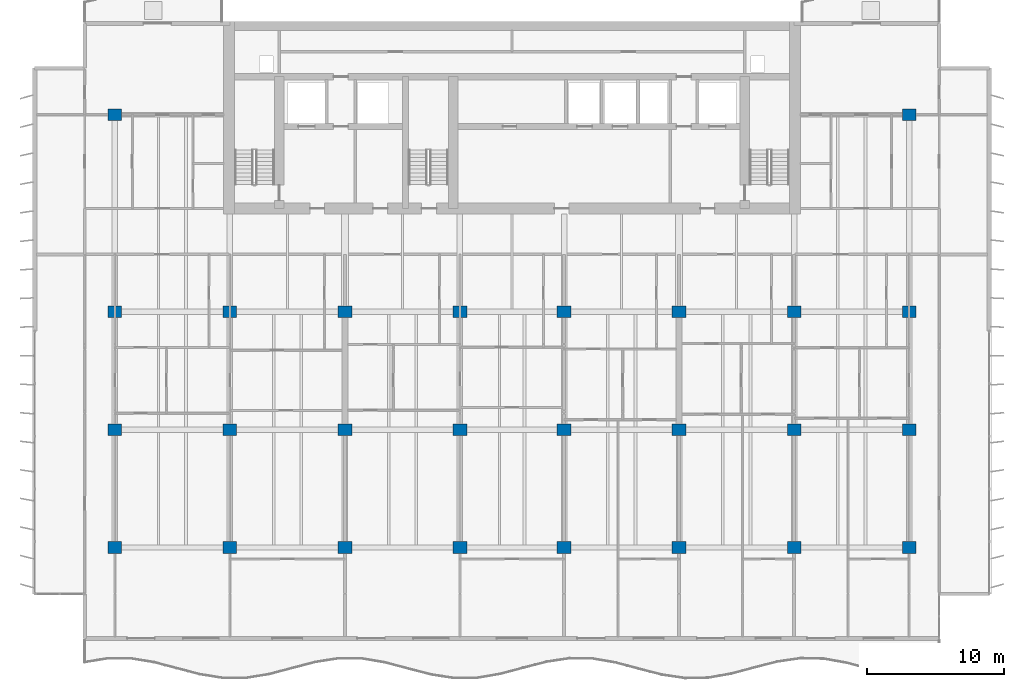
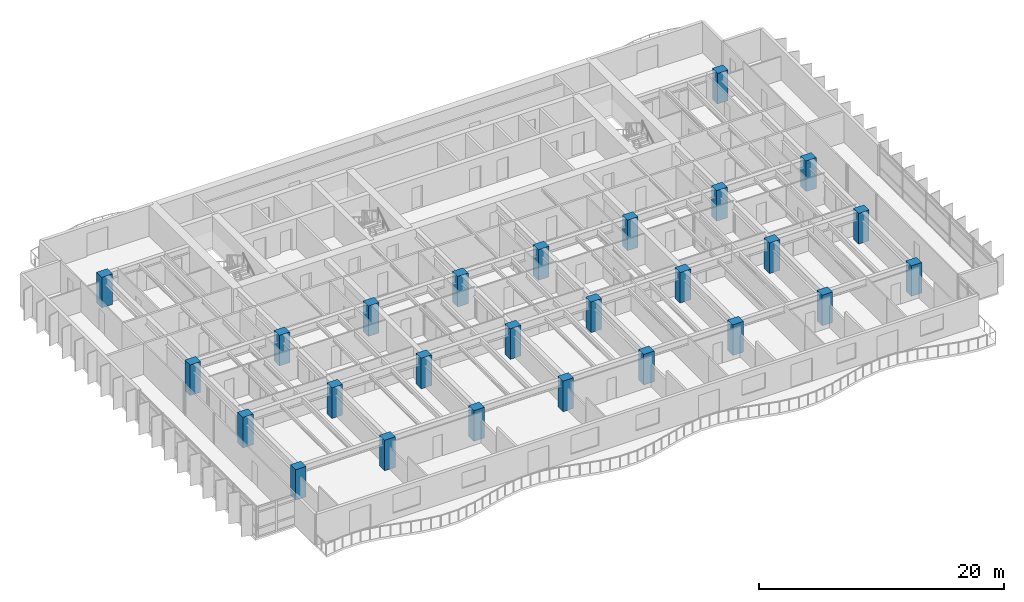
# One storey, part 1 of 19: 26 columns.
"""IFC4 building model written with IfcOpenShell, lengths in metres."""

from ifc_helpers import new_model, si_unit, direction, frame, origin, origin_2d, place, context, subcontext, project, spatial, rectangle, extrude, material, material_profile, profile_set, type_object, element, save


model = new_model("IFC4")

# Units and contexts
model_context = context("Model", 3, precision=1e-05, world=origin(), true_north=direction((0.0, 1.0)))
body_context = subcontext(model_context, "Body", "Model", "MODEL_VIEW")
ifc_project = project(units=[si_unit("LENGTHUNIT", "METRE"), si_unit("AREAUNIT", "SQUARE_METRE"), si_unit("VOLUMEUNIT", "CUBIC_METRE"), si_unit("PLANEANGLEUNIT", "RADIAN"), si_unit("MASSUNIT", "GRAM", prefix="KILO")], contexts=[model_context])

# Site, building, storey
site_placement = place(None, origin())
site = spatial("IfcSite", under=ifc_project, at=site_placement, CompositionType="ELEMENT")
building_placement = place(site_placement, origin())
building = spatial("IfcBuilding", under=site, at=building_placement, Name="Caelmar Bay Residences", CompositionType="ELEMENT")
storey_placement = place(building_placement, frame((0.0, 0.0, 115.800048828125)))
storey = spatial("IfcBuildingStorey", under=building, at=storey_placement, Name="L31", CompositionType="ELEMENT", Elevation=115.800048828125)

# Columns
ifc_material = material(Name="Concrete f'c 70 MPa (10,000 psi)", Category="concrete")
ifc_material_profile = material_profile(ifc_material, rectangle(XDim=1.0, YDim=0.85009765625, at=origin_2d()), Name="RC-COL-1000X850")
ifc_profile_set = profile_set([ifc_material_profile], Name="Concrete f'c 70 MPa (10,000 psi)")
column_type = type_object("IfcColumnType", Name="COL-RC-1000X850", PredefinedType="COLUMN", material=ifc_profile_set)
for number, where, z_axis, x_axis, name in (
    (1, (9.89990234375, 12.199951171875, 0.0), (0.0, 0.0, 1.0), (1.0, 0.0, 0.0), "L31 Column (9.90,12.20)"),
    (2, (18.300048828125, 12.199951171875, 0.0), (0.0, 0.0, 1.0), (1.0, 0.0, 0.0), "L31 Column (18.30,12.20)"),
    (3, (26.699951171875, 12.199951171875, 0.0), (0.0, 0.0, 1.0), (1.0, 0.0, 0.0), "L31 Column (26.70,12.20)"),
    (4, (35.10009765625, 12.199951171875, 0.0), (0.0, 0.0, 1.0), (1.0, 0.0, 0.0), "L31 Column (35.10,12.20)"),
    (5, (42.699951171875, 12.199951171875, 0.0), (0.0, 0.0, 1.0), (1.0, 0.0, 0.0), "L31 Column (42.70,12.20)"),
    (6, (51.10009765625, 12.199951171875, 0.0), (0.0, 0.0, 1.0), (1.0, 0.0, 0.0), "L31 Column (51.10,12.20)"),
    (7, (59.5, 12.199951171875, 0.0), (0.0, 0.0, 1.0), (1.0, 0.0, 0.0), "L31 Column (59.50,12.20)"),
    (8, (67.89990234375, 12.199951171875, 0.0), (0.0, 0.0, 1.0), (1.0, 0.0, 0.0), "L31 Column (67.90,12.20)"),
    (9, (9.89990234375, 20.800048828125, 0.0), (0.0, 0.0, 1.0), (1.0, 0.0, 0.0), "L31 Column (9.90,20.80)"),
    (10, (18.300048828125, 20.800048828125, 0.0), (0.0, 0.0, 1.0), (1.0, 0.0, 0.0), "L31 Column (18.30,20.80)"),
    (11, (26.699951171875, 20.800048828125, 0.0), (0.0, 0.0, 1.0), (1.0, 0.0, 0.0), "L31 Column (26.70,20.80)"),
    (12, (35.10009765625, 20.800048828125, 0.0), (0.0, 0.0, 1.0), (1.0, 0.0, 0.0), "L31 Column (35.10,20.80)"),
    (13, (42.699951171875, 20.800048828125, 0.0), (0.0, 0.0, 1.0), (1.0, 0.0, 0.0), "L31 Column (42.70,20.80)"),
    (14, (51.10009765625, 20.800048828125, 0.0), (0.0, 0.0, 1.0), (1.0, 0.0, 0.0), "L31 Column (51.10,20.80)"),
    (15, (59.5, 20.800048828125, 0.0), (0.0, 0.0, 1.0), (1.0, 0.0, 0.0), "L31 Column (59.50,20.80)"),
    (16, (67.89990234375, 20.800048828125, 0.0), (0.0, 0.0, 1.0), (1.0, 0.0, 0.0), "L31 Column (67.90,20.80)"),
    (17, (9.89990234375, 29.39990234375, 0.0), (0.0, 0.0, 1.0), (1.0, 0.0, 0.0), "L31 Column (9.90,29.40)"),
    (18, (18.300048828125, 29.39990234375, 0.0), (0.0, 0.0, 1.0), (1.0, 0.0, 0.0), "L31 Column (18.30,29.40)"),
    (19, (26.699951171875, 29.39990234375, 0.0), (0.0, 0.0, 1.0), (1.0, 0.0, 0.0), "L31 Column (26.70,29.40)"),
    (20, (35.10009765625, 29.39990234375, 0.0), (0.0, 0.0, 1.0), (1.0, 0.0, 0.0), "L31 Column (35.10,29.40)"),
    (21, (42.699951171875, 29.39990234375, 0.0), (0.0, 0.0, 1.0), (1.0, 0.0, 0.0), "L31 Column (42.70,29.40)"),
    (22, (51.10009765625, 29.39990234375, 0.0), (0.0, 0.0, 1.0), (1.0, 0.0, 0.0), "L31 Column (51.10,29.40)"),
    (23, (59.5, 29.39990234375, 0.0), (0.0, 0.0, 1.0), (1.0, 0.0, 0.0), "L31 Column (59.50,29.40)"),
    (24, (67.89990234375, 29.39990234375, 0.0), (0.0, 0.0, 1.0), (1.0, 0.0, 0.0), "L31 Column (67.90,29.40)"),
    (25, (9.89990234375, 43.800048828125, 0.0), (0.0, 0.0, 1.0), (1.0, 0.0, 0.0), "L31 Column (9.90,43.80)"),
    (26, (67.89990234375, 43.800048828125, 0.0), (0.0, 0.0, 1.0), (1.0, 0.0, 0.0), "L31 Column (67.90,43.80)"),
):
    element("IfcColumn", number, at=place(storey_placement, frame(where, z_axis=z_axis, x_axis=x_axis)), inside=storey, type_object=column_type, Name=name, PredefinedType="COLUMN", context=body_context, shape_type="SweptSolid", body=[
        extrude(rectangle(XDim=1.0, YDim=0.85009765625, at=origin_2d()), origin(), (0.0, 0.0, 1.0), 3.050048828125),
    ])

save(model, "model.ifc")
